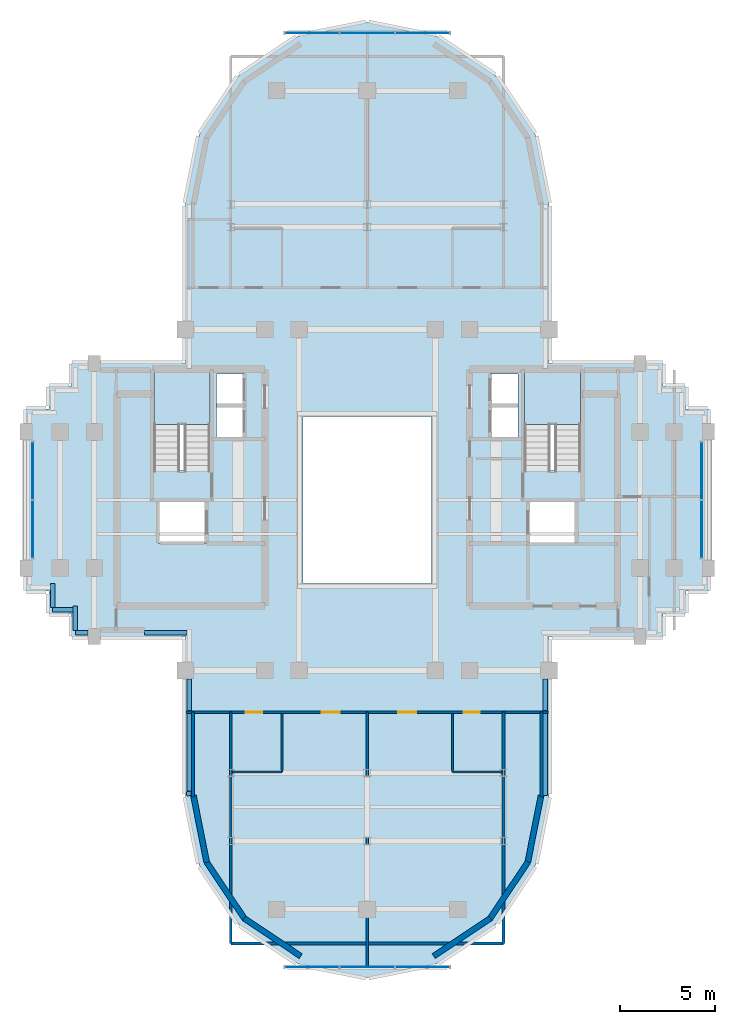
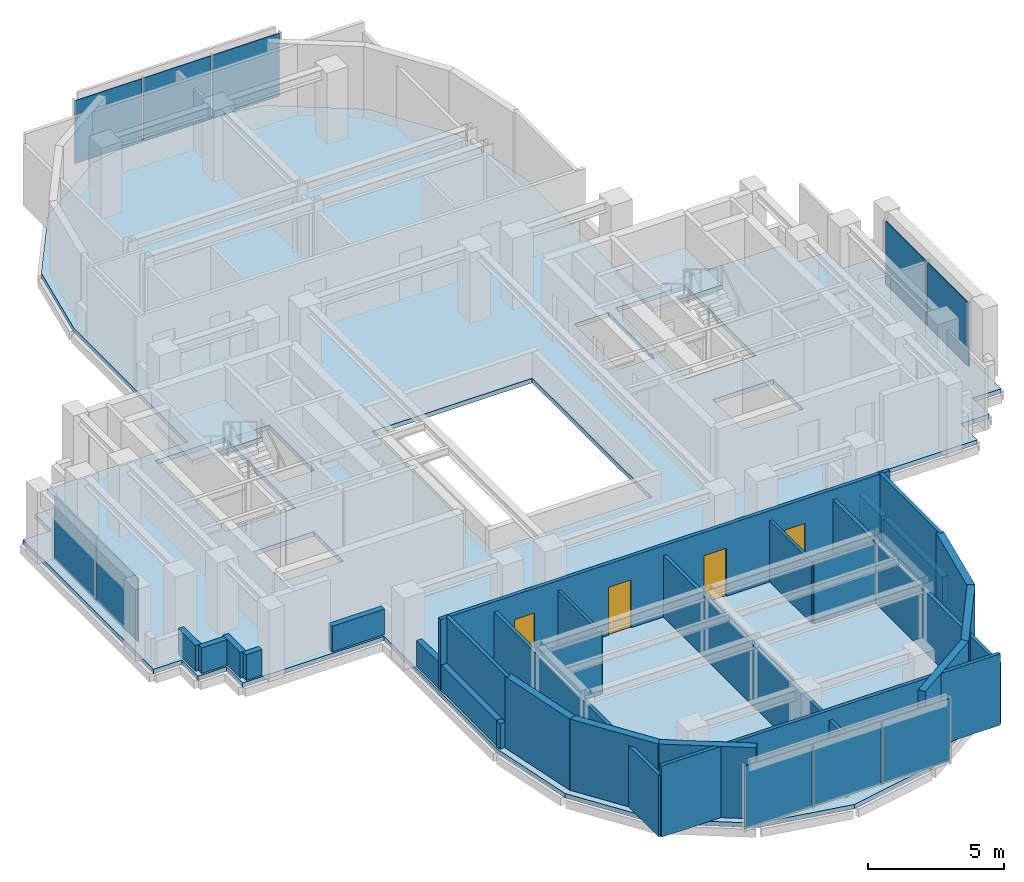
# One storey, part 5 of 11: 27 walls, 10 plates, 4 doors, 3 slabs, 4 openings, 6 elements without a shape of their own.
"""IFC4 building model written with IfcOpenShell, lengths in metres."""

from ifc_helpers import new_model, si_unit, direction, frame, frame_2d, origin, origin_2d, place, context, subcontext, project, spatial, polyline, rectangle, outline, extrude, source, transform, mapped, material, layer, layer_set, type_object, element, fill, aggregate, save


model = new_model("IFC4")

# Units and contexts
model_context = context("Model", 3, precision=1e-05, world=origin(), true_north=direction((0.0, 1.0)))
body_context = subcontext(model_context, "Body", "Model", "MODEL_VIEW")
ifc_project = project(units=[si_unit("LENGTHUNIT", "METRE"), si_unit("AREAUNIT", "SQUARE_METRE"), si_unit("VOLUMEUNIT", "CUBIC_METRE"), si_unit("PLANEANGLEUNIT", "RADIAN"), si_unit("MASSUNIT", "GRAM", prefix="KILO")], contexts=[model_context])

# Site, building, storey
site_placement = place(None, origin())
site = spatial("IfcSite", under=ifc_project, at=site_placement, CompositionType="ELEMENT")
building_placement = place(site_placement, origin())
building = spatial("IfcBuilding", under=site, at=building_placement, Name="Keilestroom Media Tower", CompositionType="ELEMENT")
storey_placement = place(building_placement, frame((0.0, 0.0, 201.199951171875)))
storey = spatial("IfcBuildingStorey", under=building, at=storey_placement, Name="L55", CompositionType="ELEMENT", Elevation=201.199951171875)

# Slab
ifc_material_1 = material(Name="Concrete C50/60", Category="concrete")
ifc_layer_1 = layer(ifc_material_1, 0.199951171875)
ifc_layer_set_1 = layer_set([ifc_layer_1], Name="Concrete C50/60")
slab_type_1 = type_object("IfcSlabType", Name="Composite-Floor-Slab-200", PredefinedType="FLOOR", material=ifc_layer_set_1)
slab_1_placement = place(storey_placement, frame((0.0, 0.0, -0.199951171875)))
element("IfcSlab", 1, at=slab_1_placement, inside=storey, type_object=slab_type_1, Name="L55 Structural Composite Floor Slab", PredefinedType="FLOOR", context=body_context, shape_type="SweptSolid", body=[
    extrude(outline(polyline([(18.0, -4.800048828125), (18.0, 4.800048828125), (16.800048828125, 4.800048828125), (16.800048828125, 6.0), (15.60009765625, 6.0), (15.60009765625, 7.199951171875), (9.60009765625, 7.199951171875), (9.60009765625, 9.60009765625), (9.60009765625, 15.60009765625), (8.869140625, 19.273681640625), (6.7880859375, 22.38818359375), (3.673828125, 24.46923828125), (0.0, 25.199951171875), (-3.673828125, 24.46923828125), (-6.7880859375, 22.38818359375), (-8.869140625, 19.273681640625), (-9.60009765625, 15.60009765625), (-9.60009765625, 9.60009765625), (-9.60009765625, 7.199951171875), (-15.60009765625, 7.199951171875), (-15.60009765625, 6.0), (-16.800048828125, 6.0), (-16.800048828125, 4.800048828125), (-18.0, 4.800048828125), (-18.0, -4.800048828125), (-16.800048828125, -4.800048828125), (-16.800048828125, -6.0), (-15.60009765625, -6.0), (-15.60009765625, -7.199951171875), (-9.60009765625, -7.199951171875), (-9.60009765625, -9.60009765625), (-9.60009765625, -15.60009765625), (-8.869140625, -19.273681640625), (-6.7880859375, -22.38818359375), (-3.673828125, -24.46923828125), (0.0, -25.199951171875), (3.673828125, -24.46923828125), (6.7880859375, -22.38818359375), (8.869140625, -19.273681640625), (9.60009765625, -15.60009765625), (9.60009765625, -9.60009765625), (9.60009765625, -7.199951171875), (15.60009765625, -7.199951171875), (15.60009765625, -6.0), (16.800048828125, -6.0), (16.800048828125, -4.800048828125), (18.0, -4.800048828125)]), holes=[polyline([(-8.300048828125, 1.544921875), (-11.260009765625, 1.544921875), (-11.260009765625, 6.760009765625), (-8.300048828125, 6.760009765625), (-8.300048828125, 1.544921875)]), polyline([(-8.47998046875, -2.280029296875), (-11.050048828125, -2.280029296875), (-11.050048828125, -0.10009765625), (-8.47998046875, -0.10009765625), (-8.47998046875, -2.280029296875)]), polyline([(-6.47998046875, 3.300048828125), (-7.949951171875, 3.300048828125), (-7.949951171875, 6.64990234375), (-6.47998046875, 6.64990234375), (-6.47998046875, 3.300048828125)]), polyline([(3.39990234375, -4.39990234375), (-3.39990234375, -4.39990234375), (-3.39990234375, 4.39990234375), (3.39990234375, 4.39990234375), (3.39990234375, -4.39990234375)]), polyline([(7.949951171875, 3.300048828125), (6.47998046875, 3.300048828125), (6.47998046875, 6.64990234375), (7.949951171875, 6.64990234375), (7.949951171875, 3.300048828125)]), polyline([(11.260009765625, 1.544921875), (8.300048828125, 1.544921875), (8.300048828125, 6.760009765625), (11.260009765625, 6.760009765625), (11.260009765625, 1.544921875)]), polyline([(11.050048828125, -2.280029296875), (8.47998046875, -2.280029296875), (8.47998046875, -0.10009765625), (11.050048828125, -0.10009765625), (11.050048828125, -2.280029296875)])]), origin(), (0.0, 0.0, 1.0), 0.199951171875),
])

# Stair, slab
ifc_material_2 = material(Name="Concrete C45/55", Category="concrete")
stair_type = type_object("IfcStairType", Name="Enclosed-Dog-Leg-Stair-ST-CORE", PredefinedType="HALF_TURN_STAIR", material=ifc_material_2)
stair_1_placement = place(storey_placement, origin())
stair_1 = element("IfcStair", 2, at=stair_1_placement, inside=storey, type_object=stair_type, Name="L55 West Core Escape Stair ST-1", PredefinedType="HALF_TURN_STAIR")
ifc_layer_2 = layer(ifc_material_2, 0.199951171875)
ifc_layer_set_2 = layer_set([ifc_layer_2], Name="Concrete C45/55")
slab_type_2 = type_object("IfcSlabType", Name="Stair-Intermediate-And-Top-Landing-Slab-200", PredefinedType="LANDING", material=ifc_layer_set_2)
slab_2_placement = place(storey_placement, frame((0.0, 0.0, 1.5)))
slab_2 = element("IfcSlab", 3, at=slab_2_placement, type_object=slab_type_2, Name="ST-1 landing 1", PredefinedType="LANDING", context=body_context, shape_type="SweptSolid", body=[
    extrude(outline(polyline([(-8.300048828125, 3.99609375), (-8.300048828125, 6.760009765625), (-11.260009765625, 6.760009765625), (-11.260009765625, 3.99609375), (-8.300048828125, 3.99609375)])), origin(), (0.0, 0.0, 1.0), 0.199951171875),
])
aggregate(stair_1, [slab_2])

stair_2_placement = place(storey_placement, origin())
stair_2 = element("IfcStair", 4, at=stair_2_placement, inside=storey, type_object=stair_type, Name="L55 East Core Escape Stair ST-2", PredefinedType="HALF_TURN_STAIR")
slab_3_placement = place(storey_placement, frame((0.0, 0.0, 1.5)))
slab_3 = element("IfcSlab", 5, at=slab_3_placement, type_object=slab_type_2, Name="ST-2 landing 1", PredefinedType="LANDING", context=body_context, shape_type="SweptSolid", body=[
    extrude(outline(polyline([(11.260009765625, 3.99609375), (11.260009765625, 6.760009765625), (8.300048828125, 6.760009765625), (8.300048828125, 3.99609375), (11.260009765625, 3.99609375)])), origin(), (0.0, 0.0, 1.0), 0.199951171875),
])
aggregate(stair_2, [slab_3])

# Curtain wall, plates
ifc_material_3 = material(Name="Anodised Aluminium Alloy", Category="aluminium")
curtain_wall_type_1 = type_object("IfcCurtainWallType", Name="Unitised-Curtain-Wall-CW-6", PredefinedType="NOTDEFINED", material=ifc_material_3)
curtain_wall_1_placement = place(storey_placement, origin())
curtain_wall_1 = element("IfcCurtainWall", 6, at=curtain_wall_1_placement, inside=storey, type_object=curtain_wall_type_1, Name="L55 Curtain Wall CW-6 CW-L55-LN-1", PredefinedType="NOTDEFINED")
ifc_material_4 = material(Name="Curved-Facet Triple Glazed Unit", Category="glass")
ifc_layer_3 = layer(ifc_material_4, 0.033935546875)
ifc_layer_set_3 = layer_set([ifc_layer_3], Name="Curved-Facet Triple Glazed Unit")
plate_type_1 = type_object("IfcPlateType", Name="Insulated-Curtain-Wall-Glazing-Panel-CW-6", PredefinedType="CURTAIN_PANEL", material=ifc_layer_set_3)
shared_shape_1 = source(origin(), body_context, "Body", "SweptSolid", [
    extrude(rectangle(XDim=2.84375, YDim=0.033935546875, at=origin_2d()), origin(), (0.0, 0.0, 1.0), 2.833984375),
])
plate_1_placement = place(storey_placement, frame((-2.9169921875, 24.64990234375, 0.072998046875), z_axis=(0.0, 0.0, 1.0), x_axis=(1.0, 0.0, 0.0)))
plate_1 = element("IfcPlate", 7, at=plate_1_placement, type_object=plate_type_1, Name="CW-6 Unitised Glazing 00", PredefinedType="CURTAIN_PANEL", context=body_context, shape_type="MappedRepresentation", body=[
    mapped(shared_shape_1, transform((0.0, 0.0, 0.0), x_axis=(1.0, 0.0, 0.0), y_axis=(0.0, 1.0, 0.0), z_axis=(0.0, 0.0, 1.0), scale=1.0)),
])
plate_2_placement = place(storey_placement, frame((2.9169921875, 24.64990234375, 0.072998046875), z_axis=(0.0, 0.0, 1.0), x_axis=(1.0, 0.0, 0.0)))
plate_2 = element("IfcPlate", 8, at=plate_2_placement, type_object=plate_type_1, Name="CW-6 Unitised Glazing 02", PredefinedType="CURTAIN_PANEL", context=body_context, shape_type="MappedRepresentation", body=[
    mapped(shared_shape_1, transform((0.0, 0.0, 0.0), x_axis=(1.0, 0.0, 0.0), y_axis=(0.0, 1.0, 0.0), z_axis=(0.0, 0.0, 1.0), scale=1.0)),
])

curtain_wall_2_placement = place(storey_placement, origin())
curtain_wall_2 = element("IfcCurtainWall", 9, at=curtain_wall_2_placement, inside=storey, type_object=curtain_wall_type_1, Name="L55 Curtain Wall CW-6 CW-L55-LS-1", PredefinedType="NOTDEFINED")
plate_3_placement = place(storey_placement, frame((-2.9169921875, -24.64990234375, 0.072998046875), z_axis=(0.0, 0.0, 1.0), x_axis=(1.0, 0.0, 0.0)))
plate_3 = element("IfcPlate", 10, at=plate_3_placement, type_object=plate_type_1, Name="CW-6 Unitised Glazing 00", PredefinedType="CURTAIN_PANEL", context=body_context, shape_type="MappedRepresentation", body=[
    mapped(shared_shape_1, transform((0.0, 0.0, 0.0), x_axis=(1.0, 0.0, 0.0), y_axis=(0.0, 1.0, 0.0), z_axis=(0.0, 0.0, 1.0), scale=1.0)),
])
plate_4_placement = place(storey_placement, frame((2.9169921875, -24.64990234375, 0.072998046875), z_axis=(0.0, 0.0, 1.0), x_axis=(1.0, 0.0, 0.0)))
plate_4 = element("IfcPlate", 11, at=plate_4_placement, type_object=plate_type_1, Name="CW-6 Unitised Glazing 02", PredefinedType="CURTAIN_PANEL", context=body_context, shape_type="MappedRepresentation", body=[
    mapped(shared_shape_1, transform((0.0, 0.0, 0.0), x_axis=(1.0, 0.0, 0.0), y_axis=(0.0, 1.0, 0.0), z_axis=(0.0, 0.0, 1.0), scale=1.0)),
])

# Plate
shared_shape_2 = source(origin(), body_context, "Body", "SweptSolid", [
    extrude(rectangle(XDim=2.876220703125, YDim=0.033935546875, at=origin_2d()), origin(), (0.0, 0.0, 1.0), 2.833984375),
])
plate_5_placement = place(storey_placement, frame((0.0, 24.64990234375, 0.072998046875), z_axis=(0.0, 0.0, 1.0), x_axis=(1.0, 0.0, 0.0)))
plate_5 = element("IfcPlate", 12, at=plate_5_placement, type_object=plate_type_1, Name="CW-6 Unitised Glazing 01", PredefinedType="CURTAIN_PANEL", context=body_context, shape_type="MappedRepresentation", body=[
    mapped(shared_shape_2, transform((0.0, 0.0, 0.0), x_axis=(1.0, 0.0, 0.0), y_axis=(0.0, 1.0, 0.0), z_axis=(0.0, 0.0, 1.0), scale=1.0)),
])

aggregate(curtain_wall_1, [plate_1, plate_5, plate_2])

plate_6_placement = place(storey_placement, frame((0.0, -24.64990234375, 0.072998046875), z_axis=(0.0, 0.0, 1.0), x_axis=(1.0, 0.0, 0.0)))
plate_6 = element("IfcPlate", 13, at=plate_6_placement, type_object=plate_type_1, Name="CW-6 Unitised Glazing 01", PredefinedType="CURTAIN_PANEL", context=body_context, shape_type="MappedRepresentation", body=[
    mapped(shared_shape_2, transform((0.0, 0.0, 0.0), x_axis=(1.0, 0.0, 0.0), y_axis=(0.0, 1.0, 0.0), z_axis=(0.0, 0.0, 1.0), scale=1.0)),
])

aggregate(curtain_wall_2, [plate_3, plate_6, plate_4])

# Curtain wall, plates
curtain_wall_type_2 = type_object("IfcCurtainWallType", Name="Unitised-Curtain-Wall-CW-3", PredefinedType="NOTDEFINED", material=ifc_material_3)
curtain_wall_3_placement = place(storey_placement, origin())
curtain_wall_3 = element("IfcCurtainWall", 14, at=curtain_wall_3_placement, inside=storey, type_object=curtain_wall_type_2, Name="L55 Curtain Wall CW-3 CW-L55-W-1", PredefinedType="NOTDEFINED")
ifc_material_5 = material(Name="Triple Glazed Acoustic Low-E Unit", Category="glass")
ifc_layer_4 = layer(ifc_material_5, 0.0380859375)
ifc_layer_set_4 = layer_set([ifc_layer_4], Name="Triple Glazed Acoustic Low-E Unit")
plate_type_2 = type_object("IfcPlateType", Name="Insulated-Curtain-Wall-Glazing-Panel-CW-3", PredefinedType="CURTAIN_PANEL", material=ifc_layer_set_4)
shared_shape_3 = source(origin(), body_context, "Body", "SweptSolid", [
    extrude(rectangle(XDim=3.025390625, YDim=0.0380859375, at=origin_2d()), origin(), (0.0, 0.0, 1.0), 2.833984375),
])
plate_7_placement = place(storey_placement, frame((-17.64990234375, -1.541259765625, 0.072998046875), z_axis=(0.0, 0.0, 1.0), x_axis=(0.0, 1.0, 0.0)))
plate_7 = element("IfcPlate", 15, at=plate_7_placement, type_object=plate_type_2, Name="CW-3 Unitised Glazing 00", PredefinedType="CURTAIN_PANEL", context=body_context, shape_type="MappedRepresentation", body=[
    mapped(shared_shape_3, transform((0.0, 0.0, 0.0), x_axis=(1.0, 0.0, 0.0), y_axis=(0.0, 1.0, 0.0), z_axis=(0.0, 0.0, 1.0), scale=1.0)),
])
plate_8_placement = place(storey_placement, frame((-17.64990234375, 1.541259765625, 0.072998046875), z_axis=(0.0, 0.0, 1.0), x_axis=(0.0, 1.0, 0.0)))
plate_8 = element("IfcPlate", 16, at=plate_8_placement, type_object=plate_type_2, Name="CW-3 Unitised Glazing 01", PredefinedType="CURTAIN_PANEL", context=body_context, shape_type="MappedRepresentation", body=[
    mapped(shared_shape_3, transform((0.0, 0.0, 0.0), x_axis=(1.0, 0.0, 0.0), y_axis=(0.0, 1.0, 0.0), z_axis=(0.0, 0.0, 1.0), scale=1.0)),
])
aggregate(curtain_wall_3, [plate_7, plate_8])

curtain_wall_4_placement = place(storey_placement, origin())
curtain_wall_4 = element("IfcCurtainWall", 17, at=curtain_wall_4_placement, inside=storey, type_object=curtain_wall_type_2, Name="L55 Curtain Wall CW-3 CW-L55-E-1", PredefinedType="NOTDEFINED")
plate_9_placement = place(storey_placement, frame((17.64990234375, -1.541259765625, 0.072998046875), z_axis=(0.0, 0.0, 1.0), x_axis=(0.0, 1.0, 0.0)))
plate_9 = element("IfcPlate", 18, at=plate_9_placement, type_object=plate_type_2, Name="CW-3 Unitised Glazing 00", PredefinedType="CURTAIN_PANEL", context=body_context, shape_type="MappedRepresentation", body=[
    mapped(shared_shape_3, transform((0.0, 0.0, 0.0), x_axis=(1.0, 0.0, 0.0), y_axis=(0.0, 1.0, 0.0), z_axis=(0.0, 0.0, 1.0), scale=1.0)),
])
plate_10_placement = place(storey_placement, frame((17.64990234375, 1.541259765625, 0.072998046875), z_axis=(0.0, 0.0, 1.0), x_axis=(0.0, 1.0, 0.0)))
plate_10 = element("IfcPlate", 19, at=plate_10_placement, type_object=plate_type_2, Name="CW-3 Unitised Glazing 01", PredefinedType="CURTAIN_PANEL", context=body_context, shape_type="MappedRepresentation", body=[
    mapped(shared_shape_3, transform((0.0, 0.0, 0.0), x_axis=(1.0, 0.0, 0.0), y_axis=(0.0, 1.0, 0.0), z_axis=(0.0, 0.0, 1.0), scale=1.0)),
])
aggregate(curtain_wall_4, [plate_9, plate_10])

# Walls
ifc_material_6 = material(Name="Precast concrete C40/50", Category="concrete")
ifc_layer_5 = layer(ifc_material_6, 0.300048828125)
ifc_layer_set_5 = layer_set([ifc_layer_5], Name="Precast concrete C40/50")
wall_type_1 = type_object("IfcWallType", Name="Exterior-Masonry-Spandrel-Wall-300", PredefinedType="SOLIDWALL", material=ifc_layer_set_5)
for number, where, z_axis, x_axis, name in (
    (20, (-9.1748046875, -15.585205078125, 0.0), (0.0, 0.0, 1.0), (0.195114232679, -0.980780523974, 0.0), "L55 Lobe Facet Precast Frame Wall 07"),
    (21, (-8.48193359375, -19.097412109375, 0.0), (0.0, 0.0, 1.0), (0.555574187116, -0.831466970246, 0.0), "L55 Lobe Facet Precast Frame Wall 08"),
):
    element("IfcWall", number, at=place(storey_placement, frame(where, z_axis=z_axis, x_axis=x_axis)), inside=storey, type_object=wall_type_1, Name=name, PredefinedType="SOLIDWALL", context=body_context, shape_type="SweptSolid", body=[
        extrude(rectangle(XDim=3.608642578125, YDim=0.300048828125, at=frame_2d((1.80419921875, 0.0))), origin(), (0.0, 0.0, 1.0), 3.199951171875),
    ])
for number, where, z_axis, x_axis, name in (
    (22, (-6.497802734375, -22.0771484375, 0.0), (0.0, 0.0, 1.0), (0.8314749531, -0.555562239868, 0.0), "L55 Lobe Facet Precast Frame Wall 09"),
    (23, (3.510009765625, -24.073486328125, 0.0), (0.0, 0.0, 1.0), (0.8314749531, 0.555562239868, 0.0), "L55 Lobe Facet Precast Frame Wall 10"),
):
    element("IfcWall", number, at=place(storey_placement, frame(where, z_axis=z_axis, x_axis=x_axis)), inside=storey, type_object=wall_type_1, Name=name, PredefinedType="SOLIDWALL", context=body_context, shape_type="SweptSolid", body=[
        extrude(rectangle(XDim=3.59326171875, YDim=0.300048828125, at=frame_2d((1.796630859375, 0.0))), origin(), (0.0, 0.0, 1.0), 3.199951171875),
    ])
for number, where, z_axis, x_axis, name in (
    (24, (6.47705078125, -22.097900390625, 0.0), (0.0, 0.0, 1.0), (0.555574187116, 0.831466970246, 0.0), "L55 Lobe Facet Precast Frame Wall 11"),
    (25, (8.470703125, -19.12451171875, 0.0), (0.0, 0.0, 1.0), (0.195114232679, 0.980780523974, 0.0), "L55 Lobe Facet Precast Frame Wall 12"),
):
    element("IfcWall", number, at=place(storey_placement, frame(where, z_axis=z_axis, x_axis=x_axis)), inside=storey, type_object=wall_type_1, Name=name, PredefinedType="SOLIDWALL", context=body_context, shape_type="SweptSolid", body=[
        extrude(rectangle(XDim=3.608642578125, YDim=0.300048828125, at=frame_2d((1.80419921875, 0.0))), origin(), (0.0, 0.0, 1.0), 3.199951171875),
    ])
ifc_material_7 = material(Name="Gypsum Plasterboard & Steel Stud", Category="steel")
ifc_layer_6 = layer(ifc_material_7, 0.1201171875)
ifc_layer_set_6 = layer_set([ifc_layer_6], Name="Gypsum Plasterboard & Steel Stud")
wall_type_2 = type_object("IfcWallType", Name="Interior-Partition-Wall-120", PredefinedType="PARTITIONING", material=ifc_layer_set_6)
wall_1_placement = place(storey_placement, frame((-4.5, -14.360107421875, 0.0), z_axis=(0.0, 0.0, 1.0), x_axis=(0.0, 1.0, 0.0)))
element("IfcWall", 26, at=wall_1_placement, inside=storey, type_object=wall_type_2, Name="L55 Interior Wall WP-L55-ENS307W-SWP", PredefinedType="PARTITIONING", context=body_context, shape_type="SweptSolid", body=[
    extrude(rectangle(XDim=3.10009765625, YDim=0.1201171875, at=frame_2d((1.550048828125, 0.0))), origin(), (0.0, 0.0, 1.0), 2.75),
])
wall_2_placement = place(storey_placement, frame((-7.139892578125, -14.360107421875, 0.0), z_axis=(0.0, 0.0, 1.0), x_axis=(1.0, 0.0, 0.0)))
element("IfcWall", 27, at=wall_2_placement, inside=storey, type_object=wall_type_2, Name="L55 Interior Wall WP-L55-ENS307H-SWP", PredefinedType="PARTITIONING", context=body_context, shape_type="SweptSolid", body=[
    extrude(rectangle(XDim=2.639892578125, YDim=0.1201171875, at=frame_2d((1.31982421875, 0.0))), origin(), (0.0, 0.0, 1.0), 2.75),
])
wall_3_placement = place(storey_placement, frame((4.5, -14.360107421875, 0.0), z_axis=(0.0, 0.0, 1.0), x_axis=(0.0, 1.0, 0.0)))
element("IfcWall", 28, at=wall_3_placement, inside=storey, type_object=wall_type_2, Name="L55 Interior Wall WP-L55-ENS307W-SEP", PredefinedType="PARTITIONING", context=body_context, shape_type="SweptSolid", body=[
    extrude(rectangle(XDim=3.10009765625, YDim=0.1201171875, at=frame_2d((1.550048828125, 0.0))), origin(), (0.0, 0.0, 1.0), 2.75),
])
wall_4_placement = place(storey_placement, frame((4.5, -14.360107421875, 0.0), z_axis=(0.0, 0.0, 1.0), x_axis=(1.0, 0.0, 0.0)))
element("IfcWall", 29, at=wall_4_placement, inside=storey, type_object=wall_type_2, Name="L55 Interior Wall WP-L55-ENS307H-SEP", PredefinedType="PARTITIONING", context=body_context, shape_type="SweptSolid", body=[
    extrude(rectangle(XDim=2.639892578125, YDim=0.1201171875, at=frame_2d((1.31982421875, 0.0))), origin(), (0.0, 0.0, 1.0), 2.75),
])

# Wall, openings, doors
ifc_layer_7 = layer(ifc_material_7, 0.14990234375)
ifc_layer_set_7 = layer_set([ifc_layer_7], Name="Gypsum Plasterboard & Steel Stud")
wall_type_3 = type_object("IfcWallType", Name="Interior-Partition-Wall-150", PredefinedType="PARTITIONING", material=ifc_layer_set_7)
wall_5_placement = place(storey_placement, frame((-9.550048828125, -11.199951171875, 0.0), z_axis=(0.0, 0.0, 1.0), x_axis=(1.0, 0.0, 0.0)))
wall_5 = element("IfcWall", 30, at=wall_5_placement, inside=storey, type_object=wall_type_3, Name="L55 Interior Wall WP-L55-H307-S-BASE", PredefinedType="PARTITIONING", context=body_context, shape_type="SweptSolid", body=[
    extrude(rectangle(XDim=19.10009765625, YDim=0.14990234375, at=frame_2d((9.550048828125, 0.0))), origin(), (0.0, 0.0, 1.0), 3.199951171875),
])
opening_1_placement = place(wall_5_placement, frame((3.14990234375, 0.0, 0.0)))
opening_1 = element("IfcOpeningElement", 31, at=opening_1_placement, cuts=wall_5, Name="Opening DI-05", PredefinedType="OPENING", context=body_context, shape_type="SweptSolid", body=[
    extrude(rectangle(XDim=0.85009765625, YDim=2.10009765625, at=frame_2d((0.425048828125, 1.050048828125))), frame((0.0, 0.0849609375, 0.0), z_axis=(0.0, -1.0, 0.0), x_axis=(1.0, 0.0, 0.0)), (0.0, 0.0, 1.0), 0.169921875),
])
opening_2_placement = place(wall_5_placement, frame((7.14990234375, 0.0, 0.0)))
opening_2 = element("IfcOpeningElement", 32, at=opening_2_placement, cuts=wall_5, Name="Opening DI-03", PredefinedType="OPENING", context=body_context, shape_type="SweptSolid", body=[
    extrude(rectangle(XDim=0.949951171875, YDim=2.14990234375, at=frame_2d((0.47509765625, 1.074951171875))), frame((0.0, 0.0849609375, 0.0), z_axis=(0.0, -1.0, 0.0), x_axis=(1.0, 0.0, 0.0)), (0.0, 0.0, 1.0), 0.169921875),
])
opening_3_placement = place(wall_5_placement, frame((14.64990234375, 0.0, 0.0)))
opening_3 = element("IfcOpeningElement", 33, at=opening_3_placement, cuts=wall_5, Name="Opening DI-05", PredefinedType="OPENING", context=body_context, shape_type="SweptSolid", body=[
    extrude(rectangle(XDim=0.85009765625, YDim=2.10009765625, at=frame_2d((0.425048828125, 1.050048828125))), frame((0.0, 0.0849609375, 0.0), z_axis=(0.0, -1.0, 0.0), x_axis=(1.0, 0.0, 0.0)), (0.0, 0.0, 1.0), 0.169921875),
])
opening_4_placement = place(wall_5_placement, frame((11.199951171875, 0.0, 0.0)))
opening_4 = element("IfcOpeningElement", 34, at=opening_4_placement, cuts=wall_5, Name="Opening DI-03", PredefinedType="OPENING", context=body_context, shape_type="SweptSolid", body=[
    extrude(rectangle(XDim=0.949951171875, YDim=2.14990234375, at=frame_2d((0.47509765625, 1.074951171875))), frame((0.0, 0.0849609375, 0.0), z_axis=(0.0, -1.0, 0.0), x_axis=(1.0, 0.0, 0.0)), (0.0, 0.0, 1.0), 0.169921875),
])
ifc_material_8 = material(Name="Lacquered European Oak Leaf", Category="wood")
door_type_1 = type_object("IfcDoorType", Name="Interior-Room-And-Suite-Door-DI-03", OperationType="NOTDEFINED", PredefinedType="DOOR", material=ifc_material_8)
shared_shape_4 = source(origin(), body_context, "Body", "SweptSolid", [
    extrude(rectangle(XDim=0.949951171875, YDim=2.14990234375, at=frame_2d((0.47509765625, 1.074951171875))), frame((0.0, 0.02490234375, 0.0), z_axis=(0.0, -1.0, 0.0), x_axis=(1.0, 0.0, 0.0)), (0.0, 0.0, 1.0), 0.050048828125),
])
door_1_placement = place(opening_2_placement, origin())
door_1 = element("IfcDoor", 35, at=door_1_placement, inside=storey, type_object=door_type_1, Name="L55 Interior Door DI-L55-DHTL307-SWP", OperationType="SINGLE_SWING_RIGHT", OverallHeight=2.14990234375, OverallWidth=0.949951171875, PredefinedType="DOOR", context=body_context, shape_type="MappedRepresentation", body=[
    mapped(shared_shape_4, transform((0.0, 0.0, 0.0), x_axis=(1.0, 0.0, 0.0), y_axis=(0.0, 1.0, 0.0), z_axis=(0.0, 0.0, 1.0), scale=1.0)),
])
fill(opening_2, door_1)
door_2_placement = place(opening_4_placement, origin())
door_2 = element("IfcDoor", 36, at=door_2_placement, inside=storey, type_object=door_type_1, Name="L55 Interior Door DI-L55-DHTL307-SEP", OperationType="SINGLE_SWING_RIGHT", OverallHeight=2.14990234375, OverallWidth=0.949951171875, PredefinedType="DOOR", context=body_context, shape_type="MappedRepresentation", body=[
    mapped(shared_shape_4, transform((0.0, 0.0, 0.0), x_axis=(1.0, 0.0, 0.0), y_axis=(0.0, 1.0, 0.0), z_axis=(0.0, 0.0, 1.0), scale=1.0)),
])
fill(opening_4, door_2)
ifc_material_9 = material(Name="Moisture-Resistant Oak Leaf", Category="wood")
door_type_2 = type_object("IfcDoorType", Name="Interior-En-Suite-And-Cupboard-Door-DI-05", OperationType="NOTDEFINED", PredefinedType="DOOR", material=ifc_material_9)
shared_shape_5 = source(origin(), body_context, "Body", "SweptSolid", [
    extrude(rectangle(XDim=0.85009765625, YDim=2.10009765625, at=frame_2d((0.425048828125, 1.050048828125))), frame((0.0, 0.02490234375, 0.0), z_axis=(0.0, -1.0, 0.0), x_axis=(1.0, 0.0, 0.0)), (0.0, 0.0, 1.0), 0.050048828125),
])
door_3_placement = place(opening_1_placement, origin())
door_3 = element("IfcDoor", 37, at=door_3_placement, inside=storey, type_object=door_type_2, Name="L55 Interior Door DI-L55-DENS307-SWP", OperationType="SINGLE_SWING_LEFT", OverallHeight=2.10009765625, OverallWidth=0.85009765625, PredefinedType="DOOR", context=body_context, shape_type="MappedRepresentation", body=[
    mapped(shared_shape_5, transform((0.0, 0.0, 0.0), x_axis=(1.0, 0.0, 0.0), y_axis=(0.0, 1.0, 0.0), z_axis=(0.0, 0.0, 1.0), scale=1.0)),
])
fill(opening_1, door_3)
door_4_placement = place(opening_3_placement, origin())
door_4 = element("IfcDoor", 38, at=door_4_placement, inside=storey, type_object=door_type_2, Name="L55 Interior Door DI-L55-DENS307-SEP", OperationType="SINGLE_SWING_LEFT", OverallHeight=2.10009765625, OverallWidth=0.85009765625, PredefinedType="DOOR", context=body_context, shape_type="MappedRepresentation", body=[
    mapped(shared_shape_5, transform((0.0, 0.0, 0.0), x_axis=(1.0, 0.0, 0.0), y_axis=(0.0, 1.0, 0.0), z_axis=(0.0, 0.0, 1.0), scale=1.0)),
])
fill(opening_3, door_4)

# Walls
for number, where, z_axis, x_axis, name in (
    (39, (-9.199951171875, -15.679931640625, 0.0), (0.0, 0.0, 1.0), (0.0, 1.0, 0.0), "L55 Interior Wall WP-L55-SL-CHKW"),
    (40, (9.199951171875, -15.679931640625, 0.0), (0.0, 0.0, 1.0), (0.0, 1.0, 0.0), "L55 Interior Wall WP-L55-SL-CHKE"),
):
    element("IfcWall", number, at=place(storey_placement, frame(where, z_axis=z_axis, x_axis=x_axis)), inside=storey, type_object=wall_type_3, Name=name, PredefinedType="PARTITIONING", context=body_context, shape_type="SweptSolid", body=[
        extrude(rectangle(XDim=4.47998046875, YDim=0.14990234375, at=frame_2d((2.239990234375, 0.0))), origin(), (0.0, 0.0, 1.0), 3.199951171875),
    ])
wall_6_placement = place(storey_placement, frame((-7.199951171875, -23.39990234375, 0.0), z_axis=(0.0, 0.0, 1.0), x_axis=(0.0, 1.0, 0.0)))
element("IfcWall", 41, at=wall_6_placement, inside=storey, type_object=wall_type_3, Name="L55 Interior Wall WP-L55-H307-SV--72", PredefinedType="PARTITIONING", context=body_context, shape_type="SweptSolid", body=[
    extrude(rectangle(XDim=12.199951171875, YDim=0.14990234375, at=frame_2d((6.10009765625, 0.0))), origin(), (0.0, 0.0, 1.0), 2.75),
])
wall_7_placement = place(storey_placement, frame((0.0, -24.64990234375, 0.0), z_axis=(0.0, 0.0, 1.0), x_axis=(0.0, 1.0, 0.0)))
element("IfcWall", 42, at=wall_7_placement, inside=storey, type_object=wall_type_3, Name="L55 Interior Wall WP-L55-H307-SV-0", PredefinedType="PARTITIONING", context=body_context, shape_type="SweptSolid", body=[
    extrude(rectangle(XDim=13.449951171875, YDim=0.14990234375, at=frame_2d((6.72509765625, 0.0))), origin(), (0.0, 0.0, 1.0), 2.75),
])
wall_8_placement = place(storey_placement, frame((7.199951171875, -23.39990234375, 0.0), z_axis=(0.0, 0.0, 1.0), x_axis=(0.0, 1.0, 0.0)))
element("IfcWall", 43, at=wall_8_placement, inside=storey, type_object=wall_type_3, Name="L55 Interior Wall WP-L55-H307-SV-72", PredefinedType="PARTITIONING", context=body_context, shape_type="SweptSolid", body=[
    extrude(rectangle(XDim=12.199951171875, YDim=0.14990234375, at=frame_2d((6.10009765625, 0.0))), origin(), (0.0, 0.0, 1.0), 2.75),
])
wall_9_placement = place(storey_placement, frame((-7.199951171875, -23.39990234375, 0.0), z_axis=(0.0, 0.0, 1.0), x_axis=(1.0, 0.0, 0.0)))
element("IfcWall", 44, at=wall_9_placement, inside=storey, type_object=wall_type_3, Name="L55 Interior Wall WP-L55-H307-STIP", PredefinedType="PARTITIONING", context=body_context, shape_type="SweptSolid", body=[
    extrude(rectangle(XDim=14.39990234375, YDim=0.14990234375, at=frame_2d((7.199951171875, 0.0))), origin(), (0.0, 0.0, 1.0), 3.199951171875),
])
ifc_layer_8 = layer(ifc_material_6, 0.239990234375)
ifc_layer_set_8 = layer_set([ifc_layer_8], Name="Precast concrete C40/50")
wall_type_4 = type_object("IfcWallType", Name="Roof-And-Terrace-Parapet-Wall-240", PredefinedType="PARAPET", material=ifc_layer_set_8)
wall_10_placement = place(storey_placement, frame((9.39990234375, -9.452880859375, 0.0), z_axis=(0.0, 0.0, 1.0), x_axis=(0.0, -1.0, 0.0)))
element("IfcWall", 45, at=wall_10_placement, inside=storey, type_object=wall_type_4, Name="L55 Perimeter Edge Parapet Wall 09", PredefinedType="PARAPET", context=body_context, shape_type="SweptSolid", body=[
    extrude(rectangle(XDim=1.669189453125, YDim=0.239990234375, at=frame_2d((0.83447265625, 0.0))), origin(), (0.0, 0.0, 1.0), 1.150146484375),
])
wall_11_placement = place(storey_placement, frame((9.39990234375, -11.278076171875, 0.0), z_axis=(0.0, 0.0, 1.0), x_axis=(0.0, -1.0, 0.0)))
element("IfcWall", 46, at=wall_11_placement, inside=storey, type_object=wall_type_4, Name="L55 Perimeter Edge Parapet Wall 10", PredefinedType="PARAPET", context=body_context, shape_type="SweptSolid", body=[
    extrude(rectangle(XDim=4.32470703125, YDim=0.239990234375, at=frame_2d((2.162353515625, 0.0))), origin(), (0.0, 0.0, 1.0), 1.150146484375),
])
wall_12_placement = place(storey_placement, frame((-9.395263671875, -15.604248046875, 0.0), z_axis=(0.0, 0.0, 1.0), x_axis=(-0.194652052864, 0.980872355771, 0.0)))
element("IfcWall", 47, at=wall_12_placement, inside=storey, type_object=wall_type_4, Name="L55 Perimeter Edge Parapet Wall 11", PredefinedType="PARAPET", context=body_context, shape_type="SweptSolid", body=[
    extrude(rectangle(XDim=0.224609375, YDim=0.239990234375, at=frame_2d((0.1123046875, 0.0))), origin(), (0.0, 0.0, 1.0), 1.150146484375),
])
wall_13_placement = place(storey_placement, frame((-9.39990234375, -15.357666015625, 0.0), z_axis=(0.0, 0.0, 1.0), x_axis=(0.0, 1.0, 0.0)))
element("IfcWall", 48, at=wall_13_placement, inside=storey, type_object=wall_type_4, Name="L55 Perimeter Edge Parapet Wall 12", PredefinedType="PARAPET", context=body_context, shape_type="SweptSolid", body=[
    extrude(rectangle(XDim=4.07958984375, YDim=0.239990234375, at=frame_2d((2.039794921875, 0.0))), origin(), (0.0, 0.0, 1.0), 1.150146484375),
])
wall_14_placement = place(storey_placement, frame((-9.39990234375, -11.1220703125, 0.0), z_axis=(0.0, 0.0, 1.0), x_axis=(0.0, 1.0, 0.0)))
element("IfcWall", 49, at=wall_14_placement, inside=storey, type_object=wall_type_4, Name="L55 Perimeter Edge Parapet Wall 13", PredefinedType="PARAPET", context=body_context, shape_type="SweptSolid", body=[
    extrude(rectangle(XDim=1.669189453125, YDim=0.239990234375, at=frame_2d((0.83447265625, 0.0))), origin(), (0.0, 0.0, 1.0), 1.150146484375),
])
wall_15_placement = place(storey_placement, frame((-9.52294921875, -7.0, 0.0), z_axis=(0.0, 0.0, 1.0), x_axis=(-1.0, 0.0, 0.0)))
element("IfcWall", 50, at=wall_15_placement, inside=storey, type_object=wall_type_4, Name="L55 Perimeter Edge Parapet Wall 15", PredefinedType="PARAPET", context=body_context, shape_type="SweptSolid", body=[
    extrude(rectangle(XDim=2.22412109375, YDim=0.239990234375, at=frame_2d((1.112060546875, 0.0))), origin(), (0.0, 0.0, 1.0), 1.150146484375),
])
wall_16_placement = place(storey_placement, frame((-14.72802734375, -7.0, 0.0), z_axis=(0.0, 0.0, 1.0), x_axis=(-1.0, 0.0, 0.0)))
element("IfcWall", 51, at=wall_16_placement, inside=storey, type_object=wall_type_4, Name="L55 Perimeter Edge Parapet Wall 16", PredefinedType="PARAPET", context=body_context, shape_type="SweptSolid", body=[
    extrude(rectangle(XDim=0.671875, YDim=0.239990234375, at=frame_2d((0.3359375, 0.0))), origin(), (0.0, 0.0, 1.0), 1.150146484375),
])
wall_17_placement = place(storey_placement, frame((-15.39990234375, -6.876953125, 0.0), z_axis=(0.0, 0.0, 1.0), x_axis=(0.0, 1.0, 0.0)))
element("IfcWall", 52, at=wall_17_placement, inside=storey, type_object=wall_type_4, Name="L55 Perimeter Edge Parapet Wall 17", PredefinedType="PARAPET", context=body_context, shape_type="SweptSolid", body=[
    extrude(rectangle(XDim=1.27685546875, YDim=0.239990234375, at=frame_2d((0.638427734375, 0.0))), origin(), (0.0, 0.0, 1.0), 1.150146484375),
])
wall_18_placement = place(storey_placement, frame((-15.52294921875, -5.800048828125, 0.0), z_axis=(0.0, 0.0, 1.0), x_axis=(-1.0, 0.0, 0.0)))
element("IfcWall", 53, at=wall_18_placement, inside=storey, type_object=wall_type_4, Name="L55 Perimeter Edge Parapet Wall 18", PredefinedType="PARAPET", context=body_context, shape_type="SweptSolid", body=[
    extrude(rectangle(XDim=1.0771484375, YDim=0.239990234375, at=frame_2d((0.53857421875, 0.0))), origin(), (0.0, 0.0, 1.0), 1.150146484375),
])
wall_19_placement = place(storey_placement, frame((-16.60009765625, -5.677001953125, 0.0), z_axis=(0.0, 0.0, 1.0), x_axis=(0.0, 1.0, 0.0)))
element("IfcWall", 54, at=wall_19_placement, inside=storey, type_object=wall_type_4, Name="L55 Perimeter Edge Parapet Wall 19", PredefinedType="PARAPET", context=body_context, shape_type="SweptSolid", body=[
    extrude(rectangle(XDim=1.277099609375, YDim=0.239990234375, at=frame_2d((0.638671875, 0.0))), origin(), (0.0, 0.0, 1.0), 1.150146484375),
])

save(model, "model.ifc")
